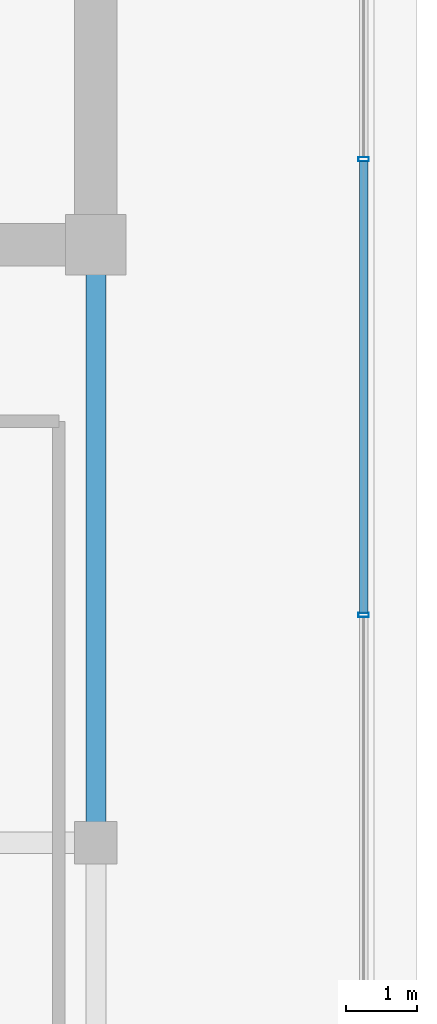
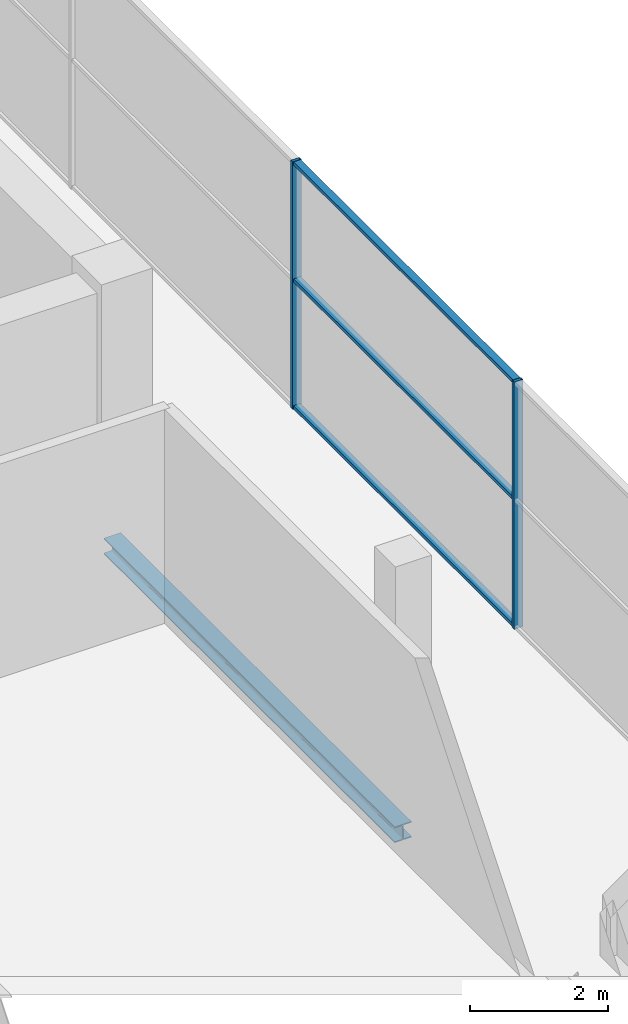
# One storey, part 21 of 28: 5 members, 1 beam, 1 element without a shape of its own.
"""IFC4 building model written with IfcOpenShell, lengths in metres."""

from ifc_helpers import new_model, si_unit, direction, frame, origin, origin_2d, place, context, subcontext, project, spatial, hollow_rectangle, i_section, extrude, source, transform, mapped, material, layer, layer_set, material_profile, profile_set, type_object, element, aggregate, save


model = new_model("IFC4")

# Units and contexts
model_context = context("Model", 3, precision=1e-05, world=origin(), true_north=direction((0.0, 1.0)))
body_context = subcontext(model_context, "Body", "Model", "MODEL_VIEW")
ifc_project = project(units=[si_unit("LENGTHUNIT", "METRE"), si_unit("AREAUNIT", "SQUARE_METRE"), si_unit("VOLUMEUNIT", "CUBIC_METRE"), si_unit("PLANEANGLEUNIT", "RADIAN"), si_unit("MASSUNIT", "GRAM", prefix="KILO")], contexts=[model_context])

# Site, building, storey
site_placement = place(None, origin())
site = spatial("IfcSite", under=ifc_project, at=site_placement, CompositionType="ELEMENT")
building_placement = place(site_placement, origin())
building = spatial("IfcBuilding", under=site, at=building_placement, Name="Zarnakvel Exchange Tower", CompositionType="ELEMENT")
storey_placement = place(building_placement, frame((0.0, 0.0, 290.0)))
storey = spatial("IfcBuildingStorey", under=building, at=storey_placement, Name="Crown L81", CompositionType="ELEMENT", Elevation=290.0)

# Beam
ifc_material_1 = material(Name="Steel S355", Category="steel")
ifc_material_profile_1 = material_profile(ifc_material_1, i_section(OverallWidth=0.280029296875, OverallDepth=0.280029296875, WebThickness=0.010498046875, FlangeThickness=0.01806640625, FilletRadius=0.02392578125, at=origin_2d()))
ifc_profile_set_1 = profile_set([ifc_material_profile_1], Name="Steel S355")
beam_type = type_object("IfcBeamType", Name="SP-04", PredefinedType="SPANDREL", material=ifc_profile_set_1)
beam_placement = place(storey_placement, frame((14.39990234375, -9.60009765625, -0.360107421875), z_axis=(0.0, 1.0, 0.0), x_axis=(-1.0, 0.0, 0.0)))
element("IfcBeam", 1, at=beam_placement, inside=storey, type_object=beam_type, Name="Crown L81 Tower N-S Frame Beam", PredefinedType="SPANDREL", context=body_context, shape_type="SweptSolid", body=[
    extrude(i_section(OverallWidth=0.280029296875, OverallDepth=0.280029296875, WebThickness=0.010498046875, FlangeThickness=0.01806640625, FilletRadius=0.02392578125, at=origin_2d()), origin(), (0.0, 0.0, 1.0), 8.400146484375),
])

# Curtain wall, members
ifc_material_2 = material(Name="Architectural Bronze Anodised Aluminium", Category="aluminium")
ifc_layer = layer(ifc_material_2, 0.14990234375)
ifc_layer_set = layer_set([ifc_layer], Name="Architectural Bronze Anodised Aluminium")
curtain_wall_type = type_object("IfcCurtainWallType", Name="CW-07", PredefinedType="NOTDEFINED", material=ifc_layer_set)
curtain_wall_placement = place(storey_placement, origin())
curtain_wall = element("IfcCurtainWall", 2, at=curtain_wall_placement, inside=storey, type_object=curtain_wall_type, Name="Crown L81 Curtain Wall CW-Crown L81-E (CW-07)", PredefinedType="NOTDEFINED")
ifc_material_profile_2 = material_profile(ifc_material_2, hollow_rectangle(XDim=0.14990234375, YDim=0.06005859375, WallThickness=0.00390625, at=origin_2d()))
ifc_profile_set_2 = profile_set([ifc_material_profile_2], Name="Architectural Bronze Anodised Aluminium")
member_type_1 = type_object("IfcMemberType", Name="CWM-07", PredefinedType="MULLION", material=ifc_profile_set_2)
shared_shape_1 = source(origin(), body_context, "Body", "SweptSolid", [
    extrude(hollow_rectangle(XDim=0.14990234375, YDim=0.06005859375, WallThickness=0.00390625, at=origin_2d()), origin(), (0.0, 0.0, 1.0), 4.360107421875),
])
member_1_placement = place(storey_placement, frame((18.159912109375, -6.39990234375, 0.0), z_axis=(0.0, 0.0, 1.0), x_axis=(-1.0, 0.0, 0.0)))
member_1 = element("IfcMember", 3, at=member_1_placement, type_object=member_type_1, Name="CW-07 mullion 2", PredefinedType="MULLION", context=body_context, shape_type="MappedRepresentation", body=[
    mapped(shared_shape_1, transform((0.0, 0.0, 0.0), x_axis=(1.0, 0.0, 0.0), y_axis=(0.0, 1.0, 0.0), z_axis=(0.0, 0.0, 1.0), scale=1.0)),
])
member_2_placement = place(storey_placement, frame((18.159912109375, 0.0, 0.0), z_axis=(0.0, 0.0, 1.0), x_axis=(-1.0, 0.0, 0.0)))
member_2 = element("IfcMember", 4, at=member_2_placement, type_object=member_type_1, Name="CW-07 mullion 3", PredefinedType="MULLION", context=body_context, shape_type="MappedRepresentation", body=[
    mapped(shared_shape_1, transform((0.0, 0.0, 0.0), x_axis=(1.0, 0.0, 0.0), y_axis=(0.0, 1.0, 0.0), z_axis=(0.0, 0.0, 1.0), scale=1.0)),
])
ifc_material_profile_3 = material_profile(ifc_material_2, hollow_rectangle(XDim=0.1201171875, YDim=0.06005859375, WallThickness=0.00390625, at=origin_2d()))
ifc_profile_set_3 = profile_set([ifc_material_profile_3], Name="Architectural Bronze Anodised Aluminium")
member_type_2 = type_object("IfcMemberType", Name="CWT-07", PredefinedType="USERDEFINED", material=ifc_profile_set_3)
shared_shape_2 = source(origin(), body_context, "Body", "SweptSolid", [
    extrude(hollow_rectangle(XDim=0.1201171875, YDim=0.06005859375, WallThickness=0.00390625, at=origin_2d()), origin(), (0.0, 0.0, 1.0), 6.340087890625),
])
member_3_placement = place(storey_placement, frame((18.159912109375, -6.3701171875, 0.030029296875), z_axis=(0.0, 1.0, 0.0), x_axis=(-1.0, 0.0, 0.0)))
member_3 = element("IfcMember", 5, at=member_3_placement, type_object=member_type_2, Name="CW-07 transom 2.1", ObjectType="TRANSOM", PredefinedType="USERDEFINED", context=body_context, shape_type="MappedRepresentation", body=[
    mapped(shared_shape_2, transform((0.0, 0.0, 0.0), x_axis=(1.0, 0.0, 0.0), y_axis=(0.0, 1.0, 0.0), z_axis=(0.0, 0.0, 1.0), scale=1.0)),
])
member_4_placement = place(storey_placement, frame((18.159912109375, -6.3701171875, 2.26708984375), z_axis=(0.0, 1.0, 0.0), x_axis=(-1.0, 0.0, 0.0)))
member_4 = element("IfcMember", 6, at=member_4_placement, type_object=member_type_2, Name="CW-07 transom 2.2", ObjectType="TRANSOM", PredefinedType="USERDEFINED", context=body_context, shape_type="MappedRepresentation", body=[
    mapped(shared_shape_2, transform((0.0, 0.0, 0.0), x_axis=(1.0, 0.0, 0.0), y_axis=(0.0, 1.0, 0.0), z_axis=(0.0, 0.0, 1.0), scale=1.0)),
])
member_5_placement = place(storey_placement, frame((18.159912109375, -6.3701171875, 4.330078125), z_axis=(0.0, 1.0, 0.0), x_axis=(-1.0, 0.0, 0.0)))
member_5 = element("IfcMember", 7, at=member_5_placement, type_object=member_type_2, Name="CW-07 transom 2.3", ObjectType="TRANSOM", PredefinedType="USERDEFINED", context=body_context, shape_type="MappedRepresentation", body=[
    mapped(shared_shape_2, transform((0.0, 0.0, 0.0), x_axis=(1.0, 0.0, 0.0), y_axis=(0.0, 1.0, 0.0), z_axis=(0.0, 0.0, 1.0), scale=1.0)),
])
aggregate(curtain_wall, [member_1, member_2, member_3, member_4, member_5])

save(model, "model.ifc")
